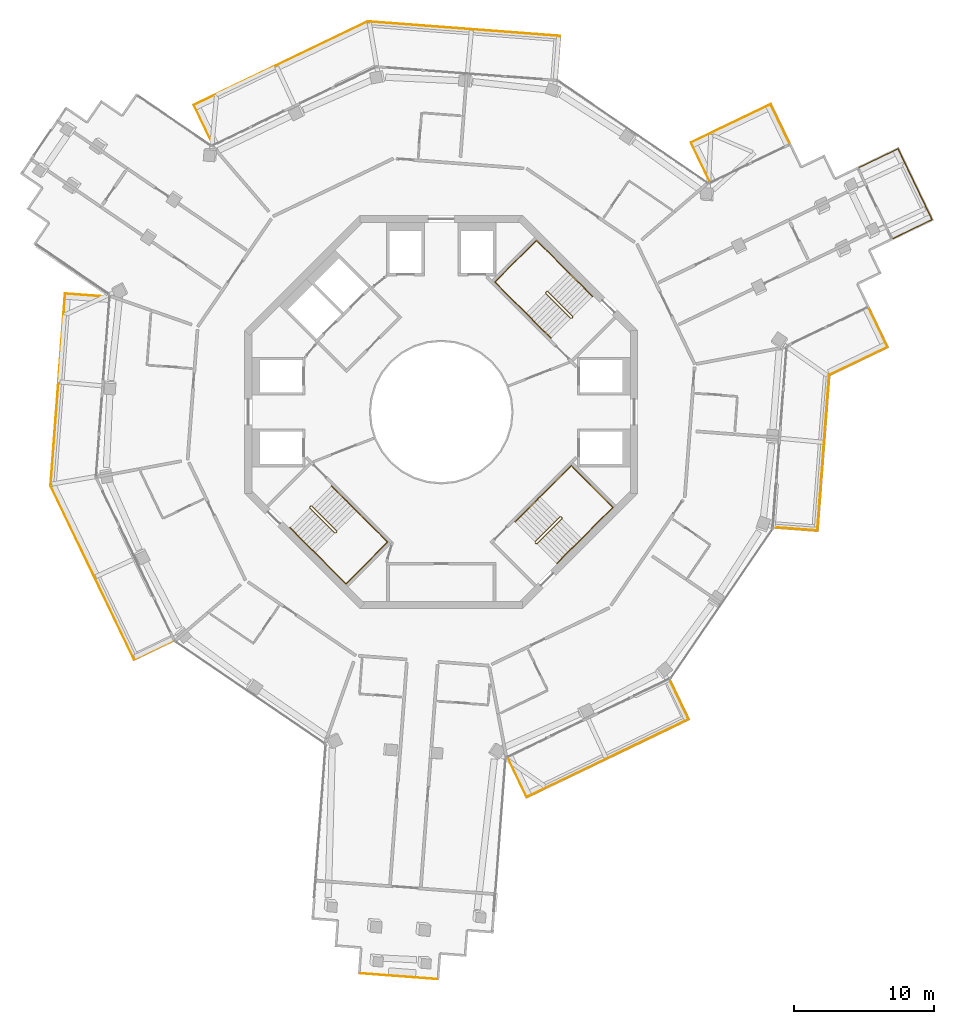
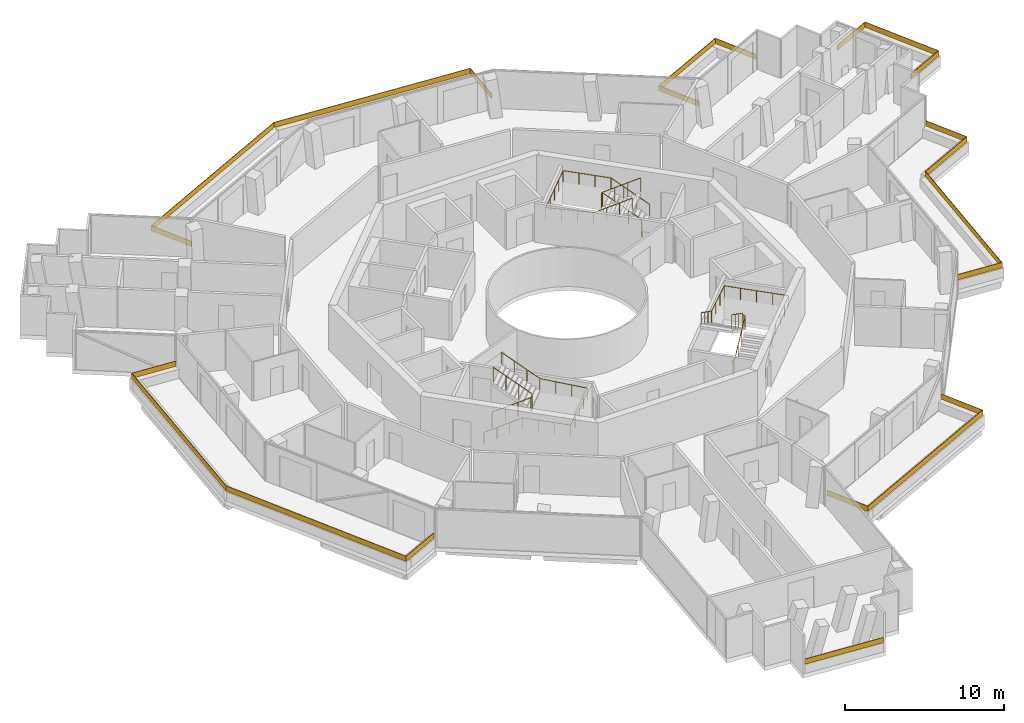
# One storey, part 23 of 23: 13 railings.
"""IFC4 building model written with IfcOpenShell, lengths in metres."""

from ifc_helpers import new_model, si_unit, direction, frame, origin, origin_2d, place, context, subcontext, project, spatial, polyline, rectangle, circle, outline, extrude, material, layer, layer_set, type_object, element, save


model = new_model("IFC4")

# Units and contexts
model_context = context("Model", 3, precision=1e-05, world=origin(), true_north=direction((0.0, 1.0)))
body_context = subcontext(model_context, "Body", "Model", "MODEL_VIEW")
ifc_project = project(units=[si_unit("LENGTHUNIT", "METRE"), si_unit("AREAUNIT", "SQUARE_METRE"), si_unit("VOLUMEUNIT", "CUBIC_METRE"), si_unit("PLANEANGLEUNIT", "RADIAN"), si_unit("MASSUNIT", "GRAM", prefix="KILO")], contexts=[model_context])

# Site, building, storey
site_placement = place(None, origin())
site = spatial("IfcSite", under=ifc_project, at=site_placement, CompositionType="ELEMENT")
building_placement = place(site_placement, origin())
building = spatial("IfcBuilding", under=site, at=building_placement, Name="Verdalira Terraces Hotel", CompositionType="ELEMENT")
storey_placement = place(building_placement, frame((0.0, 0.0, 259.5)))
storey = spatial("IfcBuildingStorey", under=building, at=storey_placement, Name="L64", CompositionType="ELEMENT", Elevation=259.5)

# Railings
ifc_material_1 = material(Name="Laminated glass", Category="glass")
ifc_layer = layer(ifc_material_1, 0.0400390625)
ifc_layer_set = layer_set([ifc_layer], Name="Balcony glass guard 400")
railing_type_1 = type_object("IfcRailingType", Name="Balcony glass guard 400", PredefinedType="GUARDRAIL", material=ifc_layer_set)
railing_1_placement = place(storey_placement, frame((0.0, 0.0, 0.699951)))
element("IfcRailing", 1, at=railing_1_placement, inside=storey, type_object=railing_type_1, Name="Balcony glass guard", PredefinedType="GUARDRAIL", context=body_context, shape_type="SweptSolid", body=[
    extrude(outline(polyline([(-26.780029, 8.421143), (-27.8125, -5.245117), (-21.873291, -17.59668), (-19.098389, -16.262451), (-19.081055, -16.298584), (-21.89209, -17.650146), (-27.853027, -5.25293), (-26.816895, 8.464111), (-23.706787, 8.229248), (-23.709717, 8.189209), (-26.780029, 8.421143)])), origin(), (0.0, 0.0, 1.0), 0.400146),
])
railing_2_placement = place(storey_placement, frame((0.0, 0.0, 0.699951)))
element("IfcRailing", 2, at=railing_2_placement, inside=storey, type_object=railing_type_1, Name="Balcony glass guard", PredefinedType="GUARDRAIL", context=body_context, shape_type="SweptSolid", body=[
    extrude(outline(polyline([(6.097168, -27.402832), (17.59668, -21.873291), (16.262451, -19.098389), (16.298584, -19.081055), (17.650146, -21.89209), (6.078369, -27.456299), (4.726807, -24.645264), (4.762695, -24.62793), (6.097168, -27.402832)])), origin(), (0.0, 0.0, 1.0), 0.400146),
])
railing_3_placement = place(storey_placement, frame((0.0, 0.0, 0.699951)))
element("IfcRailing", 3, at=railing_3_placement, inside=storey, type_object=railing_type_1, Name="Balcony glass guard", PredefinedType="GUARDRAIL", context=body_context, shape_type="SweptSolid", body=[
    extrude(outline(polyline([(26.780029, -8.421143), (27.616455, 2.648926), (31.763428, 4.643066), (30.429199, 7.417969), (30.465088, 7.435303), (31.816895, 4.624512), (27.654541, 2.623047), (26.816895, -8.464111), (23.706787, -8.229248), (23.709717, -8.189209), (26.780029, -8.421143)])), origin(), (0.0, 0.0, 1.0), 0.400146),
])
railing_4_placement = place(storey_placement, frame((0.0, 0.0, 0.699951)))
element("IfcRailing", 4, at=railing_4_placement, inside=storey, type_object=railing_type_1, Name="Balcony glass guard", PredefinedType="GUARDRAIL", context=body_context, shape_type="SweptSolid", body=[
    extrude(outline(polyline([(34.945068, 13.718262), (32.535645, 18.729004), (29.760742, 17.394775), (29.743408, 17.430908), (32.554443, 18.782471), (34.998291, 13.699463), (32.1875, 12.3479), (32.170166, 12.384033), (34.945068, 13.718262)])), origin(), (0.0, 0.0, 1.0), 0.400146),
])
railing_5_placement = place(storey_placement, frame((0.0, 0.0, 0.699951)))
element("IfcRailing", 5, at=railing_5_placement, inside=storey, type_object=railing_type_1, Name="Balcony glass guard", PredefinedType="GUARDRAIL", context=body_context, shape_type="SweptSolid", body=[
    extrude(outline(polyline([(23.460449, 21.910645), (17.819092, 19.197998), (19.15332, 16.423096), (19.117188, 16.405762), (17.765625, 19.216797), (23.479248, 21.964111), (24.830811, 19.153076), (24.794678, 19.135742), (23.460449, 21.910645)])), origin(), (0.0, 0.0, 1.0), 0.400146),
])
railing_6_placement = place(storey_placement, frame((0.0, 0.0, 0.699951)))
element("IfcRailing", 6, at=railing_6_placement, inside=storey, type_object=railing_type_1, Name="Balcony glass guard", PredefinedType="GUARDRAIL", context=body_context, shape_type="SweptSolid", body=[
    extrude(outline(polyline([(8.421143, 26.780029), (-5.245117, 27.8125), (-17.59668, 21.873291), (-16.262451, 19.098389), (-16.298584, 19.081055), (-17.650146, 21.89209), (-5.25293, 27.853027), (8.464111, 26.816895), (8.229248, 23.706787), (8.189209, 23.709717), (8.421143, 26.780029)])), origin(), (0.0, 0.0, 1.0), 0.400146),
])
railing_7_placement = place(storey_placement, frame((-3.036377, -40.193604, 0.699951), z_axis=(0.0, 0.0, 1.0), x_axis=(0.9971589, -0.075326806, 0.0)))
element("IfcRailing", 7, at=railing_7_placement, inside=storey, type_object=railing_type_1, Name="Loggia glass guard", PredefinedType="GUARDRAIL", context=body_context, shape_type="SweptSolid", body=[
    extrude(rectangle(XDim=5.5, YDim=0.040039, at=origin_2d()), origin(), (0.0, 0.0, 1.0), 0.399902),
])
ifc_material_2 = material(Name="Stainless steel", Category="steel")
railing_type_2 = type_object("IfcRailingType", Name="Stair guard 1100", PredefinedType="GUARDRAIL", material=ifc_material_2)
railing_8_placement = place(storey_placement, frame((9.369141, 6.75293, 0.0)))
element("IfcRailing", 8, at=railing_8_placement, inside=storey, type_object=railing_type_2, Name="L64 ST1 stair guard 1", PredefinedType="GUARDRAIL", context=body_context, shape_type="SweptSolid", body=[
    extrude(circle(Radius=0.023926, at=origin_2d()), frame((0.0, 0.0, 1.076172), z_axis=(-0.707106781, -0.707106781, 0.0), x_axis=(0.707106781, -0.707106781, 0.0)), (0.0, 0.0, 1.0), 0.100098),
    extrude(circle(Radius=0.023926, at=origin_2d()), frame((-0.070801, -0.070801, 1.076172), z_axis=(0.300162975, 0.599290904, 0.742127078), x_axis=(-0.894118129, 0.447831187, 0.0)), (0.0, 0.0, 1.0), 0.23584),
    extrude(circle(Radius=0.023926, at=origin_2d()), frame((0.0, 0.070557, 1.250977), z_axis=(-0.599637504, 0.599637504, 0.52997144), x_axis=(-0.707106781, -0.707106781, 0.0)), (0.0, 0.0, 1.0), 2.97168),
    extrude(circle(Radius=0.023926, at=origin_2d()), frame((-1.781982, 1.852539, 2.826172), z_axis=(-1.0, 0.0, 0.0), x_axis=(0.0, -1.0, 0.0)), (0.0, 0.0, 1.0), 0.070557),
    extrude(circle(Radius=0.023926, at=origin_2d()), frame((-1.852539, 1.852539, 2.826172), z_axis=(-0.707106781, -0.707106781, 0.0), x_axis=(0.707106781, -0.707106781, 0.0)), (0.0, 0.0, 1.0), 0.100098),
    extrude(circle(Radius=0.023926, at=origin_2d()), frame((-1.92334, 1.781738, 2.826172), z_axis=(0.0, -0.373842709, 0.927492118), x_axis=(1.0, 0.0, 0.0)), (0.0, 0.0, 1.0), 0.188721),
    extrude(circle(Radius=0.023926, at=origin_2d()), frame((-1.92334, 1.711182, 3.000977), z_axis=(0.599637504, -0.599637504, 0.52997144), x_axis=(0.707106781, 0.707106781, 0.0)), (0.0, 0.0, 1.0), 2.97168),
    extrude(circle(Radius=0.020996, at=origin_2d()), origin(), (0.0, 0.0, 1.0), 1.052002),
    extrude(circle(Radius=0.020996, at=origin_2d()), frame((-0.070801, -0.070801, 0.0)), (0.0, 0.0, 1.0), 1.052002),
    extrude(circle(Radius=0.020996, at=origin_2d()), frame((0.0, 0.070557, 0.175049)), (0.0, 0.0, 1.0), 1.052002),
    extrude(circle(Radius=0.020996, at=origin_2d()), frame((-0.593994, 0.664551, 0.699951)), (0.0, 0.0, 1.0), 1.052002),
    extrude(circle(Radius=0.020996, at=origin_2d()), frame((-1.187988, 1.258545, 1.225098)), (0.0, 0.0, 1.0), 1.052002),
    extrude(circle(Radius=0.020996, at=origin_2d()), frame((-1.781982, 1.852539, 1.75)), (0.0, 0.0, 1.0), 1.052002),
    extrude(circle(Radius=0.020996, at=origin_2d()), frame((-1.852539, 1.852539, 1.75)), (0.0, 0.0, 1.0), 1.052002),
    extrude(circle(Radius=0.020996, at=origin_2d()), frame((-1.92334, 1.781738, 1.75)), (0.0, 0.0, 1.0), 1.052002),
    extrude(circle(Radius=0.020996, at=origin_2d()), frame((-1.92334, 1.711182, 1.925049)), (0.0, 0.0, 1.0), 1.052002),
    extrude(circle(Radius=0.020996, at=origin_2d()), frame((-1.329346, 1.117188, 2.449951)), (0.0, 0.0, 1.0), 1.052002),
    extrude(circle(Radius=0.020996, at=origin_2d()), frame((-0.735352, 0.523193, 2.975098)), (0.0, 0.0, 1.0), 1.052002),
    extrude(circle(Radius=0.020996, at=origin_2d()), frame((-0.141357, -0.070801, 3.5)), (0.0, 0.0, 1.0), 1.052002),
])
railing_9_placement = place(storey_placement, frame((-9.369141, -6.75293, 0.0)))
element("IfcRailing", 9, at=railing_9_placement, inside=storey, type_object=railing_type_2, Name="L64 ST2 stair guard 1", PredefinedType="GUARDRAIL", context=body_context, shape_type="SweptSolid", body=[
    extrude(circle(Radius=0.023926, at=origin_2d()), frame((0.0, 0.0, 1.076172), z_axis=(0.707106781, 0.707106781, 0.0), x_axis=(-0.707106781, 0.707106781, 0.0)), (0.0, 0.0, 1.0), 0.100098),
    extrude(circle(Radius=0.023926, at=origin_2d()), frame((0.070801, 0.070801, 1.076172), z_axis=(-0.300162975, -0.599290904, 0.742127078), x_axis=(0.894118129, -0.447831187, 0.0)), (0.0, 0.0, 1.0), 0.23584),
    extrude(circle(Radius=0.023926, at=origin_2d()), frame((0.0, -0.070557, 1.250977), z_axis=(0.599637504, -0.599637504, 0.52997144), x_axis=(0.707106781, 0.707106781, 0.0)), (0.0, 0.0, 1.0), 2.97168),
    extrude(circle(Radius=0.023926, at=origin_2d()), frame((1.781982, -1.852539, 2.826172), z_axis=(1.0, 0.0, 0.0), x_axis=(0.0, 1.0, 0.0)), (0.0, 0.0, 1.0), 0.070557),
    extrude(circle(Radius=0.023926, at=origin_2d()), frame((1.852539, -1.852539, 2.826172), z_axis=(0.707106781, 0.707106781, 0.0), x_axis=(-0.707106781, 0.707106781, 0.0)), (0.0, 0.0, 1.0), 0.100098),
    extrude(circle(Radius=0.023926, at=origin_2d()), frame((1.92334, -1.781738, 2.826172), z_axis=(0.0, 0.373842709, 0.927492118), x_axis=(-1.0, 0.0, 0.0)), (0.0, 0.0, 1.0), 0.188721),
    extrude(circle(Radius=0.023926, at=origin_2d()), frame((1.92334, -1.711182, 3.000977), z_axis=(-0.599637504, 0.599637504, 0.52997144), x_axis=(-0.707106781, -0.707106781, 0.0)), (0.0, 0.0, 1.0), 2.97168),
    extrude(circle(Radius=0.020996, at=origin_2d()), origin(), (0.0, 0.0, 1.0), 1.052002),
    extrude(circle(Radius=0.020996, at=origin_2d()), frame((0.070801, 0.070801, 0.0)), (0.0, 0.0, 1.0), 1.052002),
    extrude(circle(Radius=0.020996, at=origin_2d()), frame((0.0, -0.070557, 0.175049)), (0.0, 0.0, 1.0), 1.052002),
    extrude(circle(Radius=0.020996, at=origin_2d()), frame((0.593994, -0.664551, 0.699951)), (0.0, 0.0, 1.0), 1.052002),
    extrude(circle(Radius=0.020996, at=origin_2d()), frame((1.187988, -1.258545, 1.225098)), (0.0, 0.0, 1.0), 1.052002),
    extrude(circle(Radius=0.020996, at=origin_2d()), frame((1.781982, -1.852539, 1.75)), (0.0, 0.0, 1.0), 1.052002),
    extrude(circle(Radius=0.020996, at=origin_2d()), frame((1.852539, -1.852539, 1.75)), (0.0, 0.0, 1.0), 1.052002),
    extrude(circle(Radius=0.020996, at=origin_2d()), frame((1.92334, -1.781738, 1.75)), (0.0, 0.0, 1.0), 1.052002),
    extrude(circle(Radius=0.020996, at=origin_2d()), frame((1.92334, -1.711182, 1.925049)), (0.0, 0.0, 1.0), 1.052002),
    extrude(circle(Radius=0.020996, at=origin_2d()), frame((1.329346, -1.117188, 2.449951)), (0.0, 0.0, 1.0), 1.052002),
    extrude(circle(Radius=0.020996, at=origin_2d()), frame((0.735352, -0.523193, 2.975098)), (0.0, 0.0, 1.0), 1.052002),
    extrude(circle(Radius=0.020996, at=origin_2d()), frame((0.141357, 0.070801, 3.5)), (0.0, 0.0, 1.0), 1.052002),
])
railing_10_placement = place(storey_placement, frame((6.75293, -9.369141, 0.0)))
element("IfcRailing", 10, at=railing_10_placement, inside=storey, type_object=railing_type_2, Name="L64 ST3 stair guard 1", PredefinedType="GUARDRAIL", context=body_context, shape_type="SweptSolid", body=[
    extrude(circle(Radius=0.023926, at=origin_2d()), frame((0.0, 0.0, 1.076172), z_axis=(-0.707106781, 0.707106781, 0.0), x_axis=(-0.707106781, -0.707106781, 0.0)), (0.0, 0.0, 1.0), 0.100098),
    extrude(circle(Radius=0.023926, at=origin_2d()), frame((-0.070801, 0.070801, 1.076172), z_axis=(0.599290904, -0.300162975, 0.742127078), x_axis=(0.447831187, 0.894118129, 0.0)), (0.0, 0.0, 1.0), 0.23584),
    extrude(circle(Radius=0.023926, at=origin_2d()), frame((0.070557, 0.0, 1.250977), z_axis=(0.599637504, 0.599637504, 0.52997144), x_axis=(-0.707106781, 0.707106781, 0.0)), (0.0, 0.0, 1.0), 2.97168),
    extrude(circle(Radius=0.023926, at=origin_2d()), frame((1.852539, 1.781982, 2.826172), z_axis=(0.0, 1.0, 0.0), x_axis=(-1.0, 0.0, 0.0)), (0.0, 0.0, 1.0), 0.070557),
    extrude(circle(Radius=0.023926, at=origin_2d()), frame((1.852539, 1.852539, 2.826172), z_axis=(-0.707106781, 0.707106781, 0.0), x_axis=(-0.707106781, -0.707106781, 0.0)), (0.0, 0.0, 1.0), 0.100098),
    extrude(circle(Radius=0.023926, at=origin_2d()), frame((1.781738, 1.92334, 2.826172), z_axis=(-0.373842709, 0.0, 0.927492118), x_axis=(0.0, -1.0, 0.0)), (0.0, 0.0, 1.0), 0.188721),
    extrude(circle(Radius=0.023926, at=origin_2d()), frame((1.711182, 1.92334, 3.000977), z_axis=(-0.599637504, -0.599637504, 0.52997144), x_axis=(0.707106781, -0.707106781, 0.0)), (0.0, 0.0, 1.0), 2.97168),
    extrude(circle(Radius=0.020996, at=origin_2d()), origin(), (0.0, 0.0, 1.0), 1.052002),
    extrude(circle(Radius=0.020996, at=origin_2d()), frame((-0.070801, 0.070801, 0.0)), (0.0, 0.0, 1.0), 1.052002),
    extrude(circle(Radius=0.020996, at=origin_2d()), frame((0.070557, 0.0, 0.175049)), (0.0, 0.0, 1.0), 1.052002),
    extrude(circle(Radius=0.020996, at=origin_2d()), frame((0.664551, 0.593994, 0.699951)), (0.0, 0.0, 1.0), 1.052002),
    extrude(circle(Radius=0.020996, at=origin_2d()), frame((1.258545, 1.187988, 1.225098)), (0.0, 0.0, 1.0), 1.052002),
    extrude(circle(Radius=0.020996, at=origin_2d()), frame((1.852539, 1.781982, 1.75)), (0.0, 0.0, 1.0), 1.052002),
    extrude(circle(Radius=0.020996, at=origin_2d()), frame((1.852539, 1.852539, 1.75)), (0.0, 0.0, 1.0), 1.052002),
    extrude(circle(Radius=0.020996, at=origin_2d()), frame((1.781738, 1.92334, 1.75)), (0.0, 0.0, 1.0), 1.052002),
    extrude(circle(Radius=0.020996, at=origin_2d()), frame((1.711182, 1.92334, 1.925049)), (0.0, 0.0, 1.0), 1.052002),
    extrude(circle(Radius=0.020996, at=origin_2d()), frame((1.117188, 1.329346, 2.449951)), (0.0, 0.0, 1.0), 1.052002),
    extrude(circle(Radius=0.020996, at=origin_2d()), frame((0.523193, 0.735352, 2.975098)), (0.0, 0.0, 1.0), 1.052002),
    extrude(circle(Radius=0.020996, at=origin_2d()), frame((-0.070801, 0.141357, 3.5)), (0.0, 0.0, 1.0), 1.052002),
])
ifc_material_3 = material(Name="Stainless steel", Category="steel")
railing_type_3 = type_object("IfcRailingType", Name="Stair handrail 900", PredefinedType="HANDRAIL", material=ifc_material_3)
railing_11_placement = place(storey_placement, frame((10.783447, 8.237793, 0.175049)))
element("IfcRailing", 11, at=railing_11_placement, inside=storey, type_object=railing_type_3, Name="L64 ST1 stair handrail 1", PredefinedType="HANDRAIL", context=body_context, shape_type="SweptSolid", body=[
    extrude(circle(Radius=0.023926, at=origin_2d()), frame((0.0, 0.0, 0.875977), z_axis=(-0.599637504, 0.599637504, 0.52997144), x_axis=(-0.707106781, -0.707106781, 0.0)), (0.0, 0.0, 1.0), 2.97168),
    extrude(circle(Radius=0.023926, at=origin_2d()), frame((-1.781982, 1.781982, 2.450684), z_axis=(-0.707106781, 0.707106781, 0.0), x_axis=(-0.707106781, -0.707106781, 0.0)), (0.0, 0.0, 1.0), 3.129883),
    extrude(circle(Radius=0.023926, at=origin_2d()), frame((-3.995117, 3.995117, 2.450684), z_axis=(-0.707135845, -0.707077716, 0.0), x_axis=(0.707077716, -0.707135845, 0.0)), (0.0, 0.0, 1.0), 4.199951),
    extrude(circle(Radius=0.023926, at=origin_2d()), frame((-6.965088, 1.025391, 2.450684), z_axis=(0.706003682, -0.706003682, 0.0558355), x_axis=(0.707106781, 0.707106781, 0.0)), (0.0, 0.0, 1.0), 3.13501),
    extrude(circle(Radius=0.023926, at=origin_2d()), frame((-4.751709, -1.187988, 2.625977), z_axis=(0.599614426, -0.599614426, 0.530023659), x_axis=(0.707106781, 0.707106781, 0.0)), (0.0, 0.0, 1.0), 2.971436),
    extrude(circle(Radius=0.020996, at=origin_2d()), origin(), (0.0, 0.0, 1.0), 0.851807),
    extrude(circle(Radius=0.020996, at=origin_2d()), frame((-0.593994, 0.593994, 0.524902)), (0.0, 0.0, 1.0), 0.851807),
    extrude(circle(Radius=0.020996, at=origin_2d()), frame((-1.187988, 1.187988, 1.050049)), (0.0, 0.0, 1.0), 0.851807),
    extrude(circle(Radius=0.020996, at=origin_2d()), frame((-1.781982, 1.781982, 1.574951)), (0.0, 0.0, 1.0), 0.851807),
    extrude(circle(Radius=0.020996, at=origin_2d()), frame((-2.519775, 2.519775, 1.574951)), (0.0, 0.0, 1.0), 0.851807),
    extrude(circle(Radius=0.020996, at=origin_2d()), frame((-3.257324, 3.257324, 1.574951)), (0.0, 0.0, 1.0), 0.851807),
    extrude(circle(Radius=0.020996, at=origin_2d()), frame((-3.995117, 3.995117, 1.574951)), (0.0, 0.0, 1.0), 0.851807),
    extrude(circle(Radius=0.020996, at=origin_2d()), frame((-4.737549, 3.252686, 1.574951)), (0.0, 0.0, 1.0), 0.851807),
    extrude(circle(Radius=0.020996, at=origin_2d()), frame((-5.47998, 2.510254, 1.574951)), (0.0, 0.0, 1.0), 0.851807),
    extrude(circle(Radius=0.020996, at=origin_2d()), frame((-6.222656, 1.767822, 1.574951)), (0.0, 0.0, 1.0), 0.851807),
    extrude(circle(Radius=0.020996, at=origin_2d()), frame((-6.965088, 1.025391, 1.574951)), (0.0, 0.0, 1.0), 0.851807),
    extrude(circle(Radius=0.020996, at=origin_2d()), frame((-6.227295, 0.287598, 1.633301)), (0.0, 0.0, 1.0), 0.851807),
    extrude(circle(Radius=0.020996, at=origin_2d()), frame((-5.489502, -0.450195, 1.69165)), (0.0, 0.0, 1.0), 0.851807),
    extrude(circle(Radius=0.020996, at=origin_2d()), frame((-4.751709, -1.187988, 1.75)), (0.0, 0.0, 1.0), 0.851807),
    extrude(circle(Radius=0.020996, at=origin_2d()), frame((-4.157715, -1.781982, 2.274902)), (0.0, 0.0, 1.0), 0.851807),
    extrude(circle(Radius=0.020996, at=origin_2d()), frame((-3.563965, -2.375732, 2.800049)), (0.0, 0.0, 1.0), 0.851807),
    extrude(circle(Radius=0.020996, at=origin_2d()), frame((-2.969971, -2.969727, 3.324951)), (0.0, 0.0, 1.0), 0.851807),
])
railing_12_placement = place(storey_placement, frame((-10.783447, -8.237793, 0.175049)))
element("IfcRailing", 12, at=railing_12_placement, inside=storey, type_object=railing_type_3, Name="L64 ST2 stair handrail 1", PredefinedType="HANDRAIL", context=body_context, shape_type="SweptSolid", body=[
    extrude(circle(Radius=0.023926, at=origin_2d()), frame((0.0, 0.0, 0.875977), z_axis=(0.599637504, -0.599637504, 0.52997144), x_axis=(0.707106781, 0.707106781, 0.0)), (0.0, 0.0, 1.0), 2.97168),
    extrude(circle(Radius=0.023926, at=origin_2d()), frame((1.781982, -1.781982, 2.450684), z_axis=(0.707106781, -0.707106781, 0.0), x_axis=(0.707106781, 0.707106781, 0.0)), (0.0, 0.0, 1.0), 3.129883),
    extrude(circle(Radius=0.023926, at=origin_2d()), frame((3.995117, -3.995117, 2.450684), z_axis=(0.707135845, 0.707077716, 0.0), x_axis=(-0.707077716, 0.707135845, 0.0)), (0.0, 0.0, 1.0), 4.199951),
    extrude(circle(Radius=0.023926, at=origin_2d()), frame((6.965088, -1.025391, 2.450684), z_axis=(-0.706003682, 0.706003682, 0.0558355), x_axis=(-0.707106781, -0.707106781, 0.0)), (0.0, 0.0, 1.0), 3.13501),
    extrude(circle(Radius=0.023926, at=origin_2d()), frame((4.751709, 1.187988, 2.625977), z_axis=(-0.599614426, 0.599614426, 0.530023659), x_axis=(-0.707106781, -0.707106781, 0.0)), (0.0, 0.0, 1.0), 2.971436),
    extrude(circle(Radius=0.020996, at=origin_2d()), origin(), (0.0, 0.0, 1.0), 0.851807),
    extrude(circle(Radius=0.020996, at=origin_2d()), frame((0.593994, -0.593994, 0.524902)), (0.0, 0.0, 1.0), 0.851807),
    extrude(circle(Radius=0.020996, at=origin_2d()), frame((1.187988, -1.187988, 1.050049)), (0.0, 0.0, 1.0), 0.851807),
    extrude(circle(Radius=0.020996, at=origin_2d()), frame((1.781982, -1.781982, 1.574951)), (0.0, 0.0, 1.0), 0.851807),
    extrude(circle(Radius=0.020996, at=origin_2d()), frame((2.519775, -2.519775, 1.574951)), (0.0, 0.0, 1.0), 0.851807),
    extrude(circle(Radius=0.020996, at=origin_2d()), frame((3.257324, -3.257324, 1.574951)), (0.0, 0.0, 1.0), 0.851807),
    extrude(circle(Radius=0.020996, at=origin_2d()), frame((3.995117, -3.995117, 1.574951)), (0.0, 0.0, 1.0), 0.851807),
    extrude(circle(Radius=0.020996, at=origin_2d()), frame((4.737549, -3.252686, 1.574951)), (0.0, 0.0, 1.0), 0.851807),
    extrude(circle(Radius=0.020996, at=origin_2d()), frame((5.47998, -2.510254, 1.574951)), (0.0, 0.0, 1.0), 0.851807),
    extrude(circle(Radius=0.020996, at=origin_2d()), frame((6.222656, -1.767822, 1.574951)), (0.0, 0.0, 1.0), 0.851807),
    extrude(circle(Radius=0.020996, at=origin_2d()), frame((6.965088, -1.025391, 1.574951)), (0.0, 0.0, 1.0), 0.851807),
    extrude(circle(Radius=0.020996, at=origin_2d()), frame((6.227295, -0.287598, 1.633301)), (0.0, 0.0, 1.0), 0.851807),
    extrude(circle(Radius=0.020996, at=origin_2d()), frame((5.489502, 0.450195, 1.69165)), (0.0, 0.0, 1.0), 0.851807),
    extrude(circle(Radius=0.020996, at=origin_2d()), frame((4.751709, 1.187988, 1.75)), (0.0, 0.0, 1.0), 0.851807),
    extrude(circle(Radius=0.020996, at=origin_2d()), frame((4.157715, 1.781982, 2.274902)), (0.0, 0.0, 1.0), 0.851807),
    extrude(circle(Radius=0.020996, at=origin_2d()), frame((3.563965, 2.375732, 2.800049)), (0.0, 0.0, 1.0), 0.851807),
    extrude(circle(Radius=0.020996, at=origin_2d()), frame((2.969971, 2.969727, 3.324951)), (0.0, 0.0, 1.0), 0.851807),
])
railing_13_placement = place(storey_placement, frame((8.237793, -10.783447, 0.175049)))
element("IfcRailing", 13, at=railing_13_placement, inside=storey, type_object=railing_type_3, Name="L64 ST3 stair handrail 1", PredefinedType="HANDRAIL", context=body_context, shape_type="SweptSolid", body=[
    extrude(circle(Radius=0.023926, at=origin_2d()), frame((0.0, 0.0, 0.875977), z_axis=(0.599637504, 0.599637504, 0.52997144), x_axis=(-0.707106781, 0.707106781, 0.0)), (0.0, 0.0, 1.0), 2.97168),
    extrude(circle(Radius=0.023926, at=origin_2d()), frame((1.781982, 1.781982, 2.450684), z_axis=(0.707106781, 0.707106781, 0.0), x_axis=(-0.707106781, 0.707106781, 0.0)), (0.0, 0.0, 1.0), 3.129883),
    extrude(circle(Radius=0.023926, at=origin_2d()), frame((3.995117, 3.995117, 2.450684), z_axis=(-0.707077716, 0.707135845, 0.0), x_axis=(-0.707135845, -0.707077716, 0.0)), (0.0, 0.0, 1.0), 4.199951),
    extrude(circle(Radius=0.023926, at=origin_2d()), frame((1.025391, 6.965088, 2.450684), z_axis=(-0.706003682, -0.706003682, 0.0558355), x_axis=(0.707106781, -0.707106781, 0.0)), (0.0, 0.0, 1.0), 3.13501),
    extrude(circle(Radius=0.023926, at=origin_2d()), frame((-1.187988, 4.751709, 2.625977), z_axis=(-0.599614426, -0.599614426, 0.530023659), x_axis=(0.707106781, -0.707106781, 0.0)), (0.0, 0.0, 1.0), 2.971436),
    extrude(circle(Radius=0.020996, at=origin_2d()), origin(), (0.0, 0.0, 1.0), 0.851807),
    extrude(circle(Radius=0.020996, at=origin_2d()), frame((0.593994, 0.593994, 0.524902)), (0.0, 0.0, 1.0), 0.851807),
    extrude(circle(Radius=0.020996, at=origin_2d()), frame((1.187988, 1.187988, 1.050049)), (0.0, 0.0, 1.0), 0.851807),
    extrude(circle(Radius=0.020996, at=origin_2d()), frame((1.781982, 1.781982, 1.574951)), (0.0, 0.0, 1.0), 0.851807),
    extrude(circle(Radius=0.020996, at=origin_2d()), frame((2.519775, 2.519775, 1.574951)), (0.0, 0.0, 1.0), 0.851807),
    extrude(circle(Radius=0.020996, at=origin_2d()), frame((3.257324, 3.257324, 1.574951)), (0.0, 0.0, 1.0), 0.851807),
    extrude(circle(Radius=0.020996, at=origin_2d()), frame((3.995117, 3.995117, 1.574951)), (0.0, 0.0, 1.0), 0.851807),
    extrude(circle(Radius=0.020996, at=origin_2d()), frame((3.252686, 4.737549, 1.574951)), (0.0, 0.0, 1.0), 0.851807),
    extrude(circle(Radius=0.020996, at=origin_2d()), frame((2.510254, 5.47998, 1.574951)), (0.0, 0.0, 1.0), 0.851807),
    extrude(circle(Radius=0.020996, at=origin_2d()), frame((1.767822, 6.222656, 1.574951)), (0.0, 0.0, 1.0), 0.851807),
    extrude(circle(Radius=0.020996, at=origin_2d()), frame((1.025391, 6.965088, 1.574951)), (0.0, 0.0, 1.0), 0.851807),
    extrude(circle(Radius=0.020996, at=origin_2d()), frame((0.287598, 6.227295, 1.633301)), (0.0, 0.0, 1.0), 0.851807),
    extrude(circle(Radius=0.020996, at=origin_2d()), frame((-0.450195, 5.489502, 1.69165)), (0.0, 0.0, 1.0), 0.851807),
    extrude(circle(Radius=0.020996, at=origin_2d()), frame((-1.187988, 4.751709, 1.75)), (0.0, 0.0, 1.0), 0.851807),
    extrude(circle(Radius=0.020996, at=origin_2d()), frame((-1.781982, 4.157715, 2.274902)), (0.0, 0.0, 1.0), 0.851807),
    extrude(circle(Radius=0.020996, at=origin_2d()), frame((-2.375732, 3.563965, 2.800049)), (0.0, 0.0, 1.0), 0.851807),
    extrude(circle(Radius=0.020996, at=origin_2d()), frame((-2.969727, 2.969971, 3.324951)), (0.0, 0.0, 1.0), 0.851807),
])

save(model, "model.ifc")
